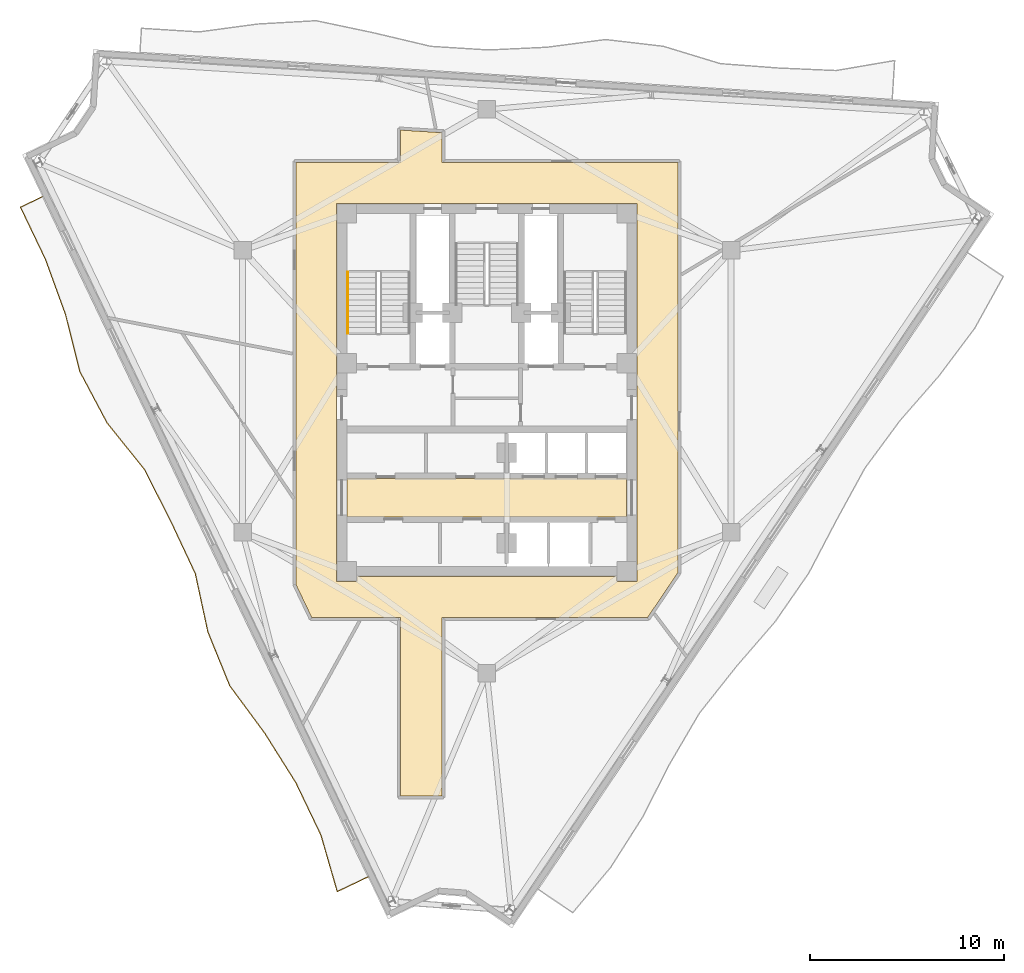
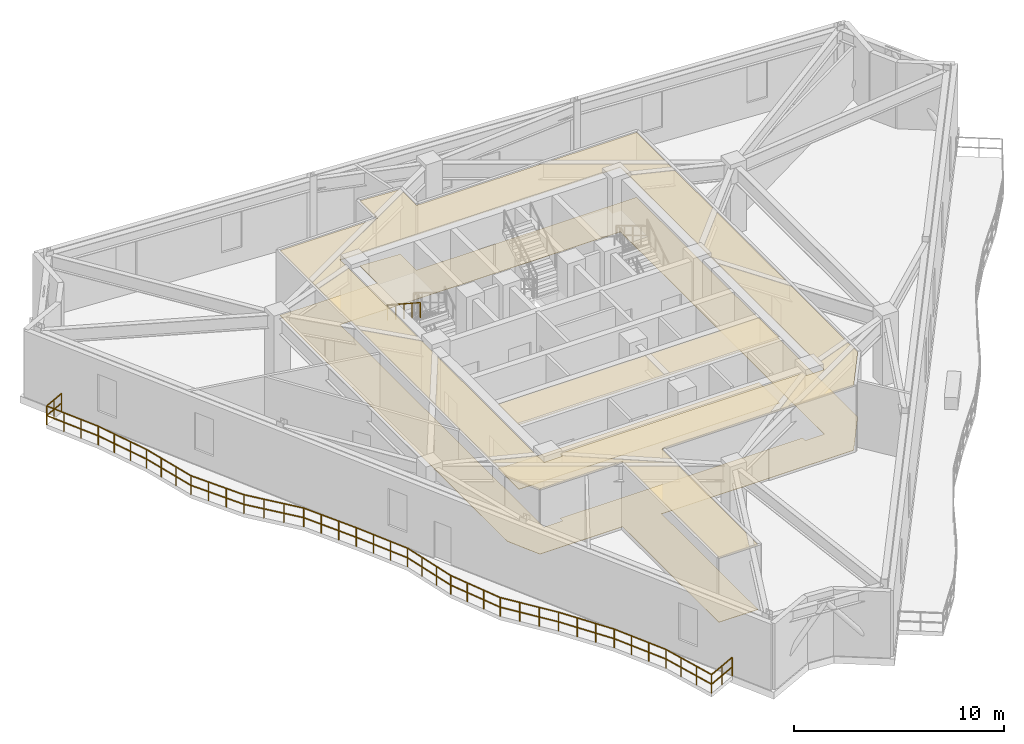
# One storey, part 9 of 11: 4 coverings, 2 railings.
"""IFC4 building model written with IfcOpenShell, lengths in metres."""

from ifc_helpers import new_model, si_unit, direction, frame, origin, origin_2d, place, context, subcontext, project, spatial, polyline, rectangle, outline, extrude, material, layer, layer_set, type_object, element, save


model = new_model("IFC4")

# Units and contexts
model_context = context("Model", 3, precision=1e-05, world=origin(), true_north=direction((0.0, 1.0)))
body_context = subcontext(model_context, "Body", "Model", "MODEL_VIEW")
ifc_project = project(units=[si_unit("LENGTHUNIT", "METRE"), si_unit("AREAUNIT", "SQUARE_METRE"), si_unit("VOLUMEUNIT", "CUBIC_METRE"), si_unit("PLANEANGLEUNIT", "RADIAN"), si_unit("MASSUNIT", "GRAM", prefix="KILO")], contexts=[model_context])

# Site, building, storey
site_placement = place(None, origin())
site = spatial("IfcSite", under=ifc_project, at=site_placement, CompositionType="ELEMENT")
building_placement = place(site_placement, origin())
building = spatial("IfcBuilding", under=site, at=building_placement, Name="Apsidion Concourse Tower", CompositionType="ELEMENT")
storey_placement = place(building_placement, frame((0.0, 0.0, 294.199951171875)))
storey = spatial("IfcBuildingStorey", under=building, at=storey_placement, Name="L69", CompositionType="ELEMENT", Elevation=294.199951171875)

# Coverings
ifc_material_1 = material(Name="Acoustic mineral fibre ceiling")
ifc_layer_1 = layer(ifc_material_1, 0.0400390625)
ifc_layer_set_1 = layer_set([ifc_layer_1], Name="Acoustic mineral fibre ceiling")
covering_type_1 = type_object("IfcCoveringType", Name="COV-CEIL-40", PredefinedType="CEILING", material=ifc_layer_set_1)
covering_1_placement = place(storey_placement, frame((0.0, 0.0, 3.75)))
element("IfcCovering", 1, at=covering_1_placement, inside=storey, type_object=covering_type_1, Name="L69 Acoustic Ceiling Grid 1", PredefinedType="CEILING", context=body_context, shape_type="SweptSolid", body=[
    extrude(outline(polyline([(-7.179931640625, -6.449951171875), (-7.179931640625, -4.47998046875), (7.179931640625, -4.47998046875), (7.179931640625, -6.449951171875), (-7.179931640625, -6.449951171875)])), origin(), (0.0, 0.0, 1.0), 0.0400390625),
])
covering_2_placement = place(storey_placement, frame((0.0, 0.0, 3.75)))
element("IfcCovering", 2, at=covering_2_placement, inside=storey, type_object=covering_type_1, Name="L69 Acoustic Ceiling Grid 2", PredefinedType="CEILING", context=body_context, shape_type="SweptSolid", body=[
    extrude(outline(polyline([(-9.006103515625, -11.6201171875), (-9.820068359375, -9.9189453125), (-9.820068359375, 11.77001953125), (-4.449951171875, 11.77001953125), (-4.449951171875, 13.4423828125), (-2.300048828125, 13.30810546875), (-2.300048828125, 11.77001953125), (9.820068359375, 11.77001953125), (9.820068359375, -9.323974609375), (8.271240234375, -11.6201171875), (-2.300048828125, -11.6201171875), (-2.300048828125, -20.800048828125), (-4.449951171875, -20.800048828125), (-4.449951171875, -11.6201171875), (-9.006103515625, -11.6201171875)]), holes=[polyline([(7.699951171875, 9.669921875), (6.699951171875, 9.669921875), (-2.300048828125, 9.669921875), (-4.449951171875, 9.669921875), (-6.699951171875, 9.669921875), (-7.699951171875, 9.669921875), (-7.719970703125, 9.669921875), (-7.719970703125, 9.64990234375), (-7.719970703125, 8.64990234375), (-7.719970703125, 1.949951171875), (-7.719970703125, 0.949951171875), (-7.719970703125, -8.75), (-7.719970703125, -9.52001953125), (-7.719970703125, -9.75), (-7.719970703125, -9.751953125), (-7.719482421875, -9.75390625), (-7.718994140625, -9.755859375), (-7.718505859375, -9.7578125), (-7.717529296875, -9.759521484375), (-7.716552734375, -9.760986328125), (-7.715576171875, -9.7626953125), (-7.714111328125, -9.76416015625), (-7.712646484375, -9.765380859375), (-7.711181640625, -9.7666015625), (-7.70947265625, -9.767578125), (-7.707763671875, -9.7685546875), (-7.705810546875, -9.76904296875), (-7.703857421875, -9.76953125), (-7.701904296875, -9.77001953125), (-7.699951171875, -9.77001953125), (-6.699951171875, -9.77001953125), (-6.697998046875, -9.77001953125), (-6.696044921875, -9.76953125), (-6.694091796875, -9.76904296875), (-6.6923828125, -9.7685546875), (-6.690673828125, -9.767578125), (-6.68896484375, -9.7666015625), (-6.687255859375, -9.765380859375), (-6.685791015625, -9.76416015625), (-6.6845703125, -9.7626953125), (-6.683349609375, -9.760986328125), (-6.682373046875, -9.759521484375), (-6.681396484375, -9.7578125), (-6.680908203125, -9.755859375), (-6.680419921875, -9.75390625), (-6.68017578125, -9.751953125), (-6.679931640625, -9.75), (-6.679931640625, -9.52001953125), (-4.449951171875, -9.52001953125), (-2.300048828125, -9.52001953125), (6.679931640625, -9.52001953125), (6.679931640625, -9.75), (6.68017578125, -9.751953125), (6.680419921875, -9.75390625), (6.680908203125, -9.755859375), (6.681396484375, -9.7578125), (6.682373046875, -9.759521484375), (6.683349609375, -9.760986328125), (6.6845703125, -9.7626953125), (6.685791015625, -9.76416015625), (6.687255859375, -9.765380859375), (6.68896484375, -9.7666015625), (6.690673828125, -9.767578125), (6.6923828125, -9.7685546875), (6.694091796875, -9.76904296875), (6.696044921875, -9.76953125), (6.697998046875, -9.77001953125), (6.699951171875, -9.77001953125), (7.699951171875, -9.77001953125), (7.701904296875, -9.77001953125), (7.703857421875, -9.76953125), (7.705810546875, -9.76904296875), (7.707763671875, -9.7685546875), (7.70947265625, -9.767578125), (7.711181640625, -9.7666015625), (7.712646484375, -9.765380859375), (7.714111328125, -9.76416015625), (7.715576171875, -9.7626953125), (7.716552734375, -9.760986328125), (7.717529296875, -9.759521484375), (7.718505859375, -9.7578125), (7.718994140625, -9.755859375), (7.719482421875, -9.75390625), (7.719970703125, -9.751953125), (7.719970703125, -9.75), (7.719970703125, -9.52001953125), (7.719970703125, -8.75), (7.719970703125, 0.949951171875), (7.719970703125, 1.949951171875), (7.719970703125, 8.64990234375), (7.719970703125, 9.64990234375), (7.719970703125, 9.669921875), (7.699951171875, 9.669921875)])]), origin(), (0.0, 0.0, 1.0), 0.0400390625),
])
ifc_material_2 = material(Name="Honed travertine floor finish", Category="masonry")
ifc_layer_2 = layer(ifc_material_2, 0.02001953125)
ifc_layer_set_2 = layer_set([ifc_layer_2], Name="Honed travertine floor finish")
covering_type_2 = type_object("IfcCoveringType", Name="COV-FLOR-20", PredefinedType="FLOORING", material=ifc_layer_set_2)
covering_3_placement = place(storey_placement, origin())
element("IfcCovering", 3, at=covering_3_placement, inside=storey, type_object=covering_type_2, Name="L69 Honed Travertine Floor Finish 1", PredefinedType="FLOORING", context=body_context, shape_type="SweptSolid", body=[
    extrude(outline(polyline([(-7.179931640625, -6.449951171875), (-7.179931640625, -4.47998046875), (7.179931640625, -4.47998046875), (7.179931640625, -6.449951171875), (-7.179931640625, -6.449951171875)])), origin(), (0.0, 0.0, 1.0), 0.02001953125),
])
covering_4_placement = place(storey_placement, origin())
element("IfcCovering", 4, at=covering_4_placement, inside=storey, type_object=covering_type_2, Name="L69 Honed Travertine Floor Finish 2", PredefinedType="FLOORING", context=body_context, shape_type="SweptSolid", body=[
    extrude(outline(polyline([(-9.006103515625, -11.6201171875), (-9.820068359375, -9.9189453125), (-9.820068359375, 11.77001953125), (-4.449951171875, 11.77001953125), (-4.449951171875, 13.4423828125), (-2.300048828125, 13.30810546875), (-2.300048828125, 11.77001953125), (9.820068359375, 11.77001953125), (9.820068359375, -9.323974609375), (8.271240234375, -11.6201171875), (-2.300048828125, -11.6201171875), (-2.300048828125, -20.800048828125), (-4.449951171875, -20.800048828125), (-4.449951171875, -11.6201171875), (-9.006103515625, -11.6201171875)]), holes=[polyline([(7.699951171875, 9.669921875), (6.699951171875, 9.669921875), (-2.300048828125, 9.669921875), (-4.449951171875, 9.669921875), (-6.699951171875, 9.669921875), (-7.699951171875, 9.669921875), (-7.719970703125, 9.669921875), (-7.719970703125, 9.64990234375), (-7.719970703125, 8.64990234375), (-7.719970703125, 1.949951171875), (-7.719970703125, 0.949951171875), (-7.719970703125, -8.75), (-7.719970703125, -9.52001953125), (-7.719970703125, -9.75), (-7.719970703125, -9.751953125), (-7.719482421875, -9.75390625), (-7.718994140625, -9.755859375), (-7.718505859375, -9.7578125), (-7.717529296875, -9.759521484375), (-7.716552734375, -9.760986328125), (-7.715576171875, -9.7626953125), (-7.714111328125, -9.76416015625), (-7.712646484375, -9.765380859375), (-7.711181640625, -9.7666015625), (-7.70947265625, -9.767578125), (-7.707763671875, -9.7685546875), (-7.705810546875, -9.76904296875), (-7.703857421875, -9.76953125), (-7.701904296875, -9.77001953125), (-7.699951171875, -9.77001953125), (-6.699951171875, -9.77001953125), (-6.697998046875, -9.77001953125), (-6.696044921875, -9.76953125), (-6.694091796875, -9.76904296875), (-6.6923828125, -9.7685546875), (-6.690673828125, -9.767578125), (-6.68896484375, -9.7666015625), (-6.687255859375, -9.765380859375), (-6.685791015625, -9.76416015625), (-6.6845703125, -9.7626953125), (-6.683349609375, -9.760986328125), (-6.682373046875, -9.759521484375), (-6.681396484375, -9.7578125), (-6.680908203125, -9.755859375), (-6.680419921875, -9.75390625), (-6.68017578125, -9.751953125), (-6.679931640625, -9.75), (-6.679931640625, -9.52001953125), (-4.449951171875, -9.52001953125), (-2.300048828125, -9.52001953125), (6.679931640625, -9.52001953125), (6.679931640625, -9.75), (6.68017578125, -9.751953125), (6.680419921875, -9.75390625), (6.680908203125, -9.755859375), (6.681396484375, -9.7578125), (6.682373046875, -9.759521484375), (6.683349609375, -9.760986328125), (6.6845703125, -9.7626953125), (6.685791015625, -9.76416015625), (6.687255859375, -9.765380859375), (6.68896484375, -9.7666015625), (6.690673828125, -9.767578125), (6.6923828125, -9.7685546875), (6.694091796875, -9.76904296875), (6.696044921875, -9.76953125), (6.697998046875, -9.77001953125), (6.699951171875, -9.77001953125), (7.699951171875, -9.77001953125), (7.701904296875, -9.77001953125), (7.703857421875, -9.76953125), (7.705810546875, -9.76904296875), (7.707763671875, -9.7685546875), (7.70947265625, -9.767578125), (7.711181640625, -9.7666015625), (7.712646484375, -9.765380859375), (7.714111328125, -9.76416015625), (7.715576171875, -9.7626953125), (7.716552734375, -9.760986328125), (7.717529296875, -9.759521484375), (7.718505859375, -9.7578125), (7.718994140625, -9.755859375), (7.719482421875, -9.75390625), (7.719970703125, -9.751953125), (7.719970703125, -9.75), (7.719970703125, -9.52001953125), (7.719970703125, -8.75), (7.719970703125, 0.949951171875), (7.719970703125, 1.949951171875), (7.719970703125, 8.64990234375), (7.719970703125, 9.64990234375), (7.719970703125, 9.669921875), (7.699951171875, 9.669921875)])]), origin(), (0.0, 0.0, 1.0), 0.02001953125),
])

# Railings
ifc_material_3 = material(Name="Brushed stainless steel 316", Category="steel")
railing_type_1 = type_object("IfcRailingType", Name="RL-BAL-1120", PredefinedType="BALUSTRADE", material=ifc_material_3)
railing_1_placement = place(storey_placement, frame((-6.1181640625, -24.96630859375, 0.0)))
element("IfcRailing", 5, at=railing_1_placement, inside=storey, type_object=railing_type_1, Name="L69 Face 1 Rippling Balcony Balustrade", PredefinedType="BALUSTRADE", context=body_context, shape_type="SweptSolid", body=[
    extrude(rectangle(XDim=0.048095703125, YDim=0.048095703125, at=origin_2d()), frame((0.0, 0.0, 1.09619140625), z_axis=(-0.902093987439, -0.431539613275, 0.0), x_axis=(0.431539613275, -0.902093987439, 0.0)), (0.0, 0.0, 1.0), 1.745849609375),
    extrude(rectangle(XDim=0.048095703125, YDim=0.048095703125, at=origin_2d()), frame((0.0, 0.0, 0.5361328125), z_axis=(-0.902093987439, -0.431539613275, 0.0), x_axis=(0.431539613275, -0.902093987439, 0.0)), (0.0, 0.0, 1.0), 1.745849609375),
    extrude(rectangle(XDim=0.048095703125, YDim=0.048095703125, at=origin_2d()), frame((-1.574951171875, -0.75341796875, 1.09619140625), z_axis=(-0.277801269511, 0.960638566089, 0.0), x_axis=(-0.960638566089, -0.277801269511, 0.0)), (0.0, 0.0, 1.0), 3.024169921875),
    extrude(rectangle(XDim=0.048095703125, YDim=0.048095703125, at=origin_2d()), frame((-1.574951171875, -0.75341796875, 0.5361328125), z_axis=(-0.277801269511, 0.960638566089, 0.0), x_axis=(-0.960638566089, -0.277801269511, 0.0)), (0.0, 0.0, 1.0), 3.024169921875),
    extrude(rectangle(XDim=0.048095703125, YDim=0.048095703125, at=origin_2d()), frame((-2.4150390625, 2.151611328125, 1.09619140625), z_axis=(-0.431629243963, 0.902051104847, 0.0), x_axis=(-0.902051104847, -0.431629243963, 0.0)), (0.0, 0.0, 1.0), 2.983154296875),
    extrude(rectangle(XDim=0.048095703125, YDim=0.048095703125, at=origin_2d()), frame((-2.4150390625, 2.151611328125, 0.5361328125), z_axis=(-0.431629243963, 0.902051104847, 0.0), x_axis=(-0.902051104847, -0.431629243963, 0.0)), (0.0, 0.0, 1.0), 2.983154296875),
    extrude(rectangle(XDim=0.048095703125, YDim=0.048095703125, at=origin_2d()), frame((-3.70263671875, 4.842529296875, 1.09619140625), z_axis=(-0.531846790602, 0.846840593811, 0.0), x_axis=(-0.846840593811, -0.531846790602, 0.0)), (0.0, 0.0, 1.0), 3.002685546875),
    extrude(rectangle(XDim=0.048095703125, YDim=0.048095703125, at=origin_2d()), frame((-3.70263671875, 4.842529296875, 0.5361328125), z_axis=(-0.531846790602, 0.846840593811, 0.0), x_axis=(-0.846840593811, -0.531846790602, 0.0)), (0.0, 0.0, 1.0), 3.002685546875),
    extrude(rectangle(XDim=0.048095703125, YDim=0.048095703125, at=origin_2d()), frame((-5.299560546875, 7.38525390625, 1.09619140625), z_axis=(-0.593549954884, 0.804797149011, 0.0), x_axis=(-0.804797149011, -0.593549954884, 0.0)), (0.0, 0.0, 1.0), 3.037109375),
    extrude(rectangle(XDim=0.048095703125, YDim=0.048095703125, at=origin_2d()), frame((-5.299560546875, 7.38525390625, 0.5361328125), z_axis=(-0.593549954884, 0.804797149011, 0.0), x_axis=(-0.804797149011, -0.593549954884, 0.0)), (0.0, 0.0, 1.0), 3.037109375),
    extrude(rectangle(XDim=0.048095703125, YDim=0.048095703125, at=origin_2d()), frame((-7.102294921875, 9.82958984375, 1.09619140625), z_axis=(-0.376526049121, 0.926406031033, 0.0), x_axis=(-0.926406031033, -0.376526049121, 0.0)), (0.0, 0.0, 1.0), 2.988525390625),
    extrude(rectangle(XDim=0.048095703125, YDim=0.048095703125, at=origin_2d()), frame((-7.102294921875, 9.82958984375, 0.5361328125), z_axis=(-0.376526049121, 0.926406031033, 0.0), x_axis=(-0.926406031033, -0.376526049121, 0.0)), (0.0, 0.0, 1.0), 2.988525390625),
    extrude(rectangle(XDim=0.048095703125, YDim=0.048095703125, at=origin_2d()), frame((-8.2275390625, 12.59814453125, 1.09619140625), z_axis=(-0.210730475018, 0.977544202018, 0.0), x_axis=(-0.977544202018, -0.210730475018, 0.0)), (0.0, 0.0, 1.0), 3.066650390625),
    extrude(rectangle(XDim=0.048095703125, YDim=0.048095703125, at=origin_2d()), frame((-8.2275390625, 12.59814453125, 0.5361328125), z_axis=(-0.210730475018, 0.977544202018, 0.0), x_axis=(-0.977544202018, -0.210730475018, 0.0)), (0.0, 0.0, 1.0), 3.066650390625),
    extrude(rectangle(XDim=0.048095703125, YDim=0.048095703125, at=origin_2d()), frame((-8.873779296875, 15.595947265625, 1.09619140625), z_axis=(-0.42441710211, 0.905466798639, 0.0), x_axis=(-0.905466798639, -0.42441710211, 0.0)), (0.0, 0.0, 1.0), 2.983154296875),
    extrude(rectangle(XDim=0.048095703125, YDim=0.048095703125, at=origin_2d()), frame((-8.873779296875, 15.595947265625, 0.5361328125), z_axis=(-0.42441710211, 0.905466798639, 0.0), x_axis=(-0.905466798639, -0.42441710211, 0.0)), (0.0, 0.0, 1.0), 2.983154296875),
    extrude(rectangle(XDim=0.048095703125, YDim=0.048095703125, at=origin_2d()), frame((-10.139892578125, 18.297119140625, 1.09619140625), z_axis=(-0.453029594323, 0.891495477649, 0.0), x_axis=(-0.891495477649, -0.453029594323, 0.0)), (0.0, 0.0, 1.0), 2.98388671875),
    extrude(rectangle(XDim=0.048095703125, YDim=0.048095703125, at=origin_2d()), frame((-10.139892578125, 18.297119140625, 0.5361328125), z_axis=(-0.453029594323, 0.891495477649, 0.0), x_axis=(-0.891495477649, -0.453029594323, 0.0)), (0.0, 0.0, 1.0), 2.98388671875),
    extrude(rectangle(XDim=0.048095703125, YDim=0.048095703125, at=origin_2d()), frame((-11.49169921875, 20.957275390625, 1.09619140625), z_axis=(-0.626335776369, 0.779553394733, 0.0), x_axis=(-0.779553394733, -0.626335776369, 0.0)), (0.0, 0.0, 1.0), 3.064208984375),
    extrude(rectangle(XDim=0.048095703125, YDim=0.048095703125, at=origin_2d()), frame((-11.49169921875, 20.957275390625, 0.5361328125), z_axis=(-0.626335776369, 0.779553394733, 0.0), x_axis=(-0.779553394733, -0.626335776369, 0.0)), (0.0, 0.0, 1.0), 3.064208984375),
    extrude(rectangle(XDim=0.048095703125, YDim=0.048095703125, at=origin_2d()), frame((-13.410888671875, 23.345947265625, 1.09619140625), z_axis=(-0.468638975523, 0.883389784082, 0.0), x_axis=(-0.883389784082, -0.468638975523, 0.0)), (0.0, 0.0, 1.0), 2.985595703125),
    extrude(rectangle(XDim=0.048095703125, YDim=0.048095703125, at=origin_2d()), frame((-13.410888671875, 23.345947265625, 0.5361328125), z_axis=(-0.468638975523, 0.883389784082, 0.0), x_axis=(-0.883389784082, -0.468638975523, 0.0)), (0.0, 0.0, 1.0), 2.985595703125),
    extrude(rectangle(XDim=0.048095703125, YDim=0.048095703125, at=origin_2d()), frame((-14.81005859375, 25.9833984375, 1.09619140625), z_axis=(-0.244007487503, 0.969773347769, 0.0), x_axis=(-0.969773347769, -0.244007487503, 0.0)), (0.0, 0.0, 1.0), 3.043701171875),
    extrude(rectangle(XDim=0.048095703125, YDim=0.048095703125, at=origin_2d()), frame((-14.81005859375, 25.9833984375, 0.5361328125), z_axis=(-0.244007487503, 0.969773347769, 0.0), x_axis=(-0.969773347769, -0.244007487503, 0.0)), (0.0, 0.0, 1.0), 3.043701171875),
    extrude(rectangle(XDim=0.048095703125, YDim=0.048095703125, at=origin_2d()), frame((-15.552734375, 28.93505859375, 1.09619140625), z_axis=(-0.341867323817, 0.939748228467, 0.0), x_axis=(-0.939748228467, -0.341867323817, 0.0)), (0.0, 0.0, 1.0), 2.997314453125),
    extrude(rectangle(XDim=0.048095703125, YDim=0.048095703125, at=origin_2d()), frame((-15.552734375, 28.93505859375, 0.5361328125), z_axis=(-0.341867323817, 0.939748228467, 0.0), x_axis=(-0.939748228467, -0.341867323817, 0.0)), (0.0, 0.0, 1.0), 2.997314453125),
    extrude(rectangle(XDim=0.048095703125, YDim=0.048095703125, at=origin_2d()), frame((-16.577392578125, 31.751708984375, 1.09619140625), z_axis=(-0.431562646754, 0.902082968428, 0.0), x_axis=(-0.902082968428, -0.431562646754, 0.0)), (0.0, 0.0, 1.0), 2.98291015625),
    extrude(rectangle(XDim=0.048095703125, YDim=0.048095703125, at=origin_2d()), frame((-16.577392578125, 31.751708984375, 0.5361328125), z_axis=(-0.431562646754, 0.902082968428, 0.0), x_axis=(-0.902082968428, -0.431562646754, 0.0)), (0.0, 0.0, 1.0), 2.98291015625),
    extrude(rectangle(XDim=0.048095703125, YDim=0.048095703125, at=origin_2d()), frame((-17.86474609375, 34.442626953125, 1.09619140625), z_axis=(0.902028416464, 0.431676656645, 0.0), x_axis=(-0.431676656645, 0.902028416464, 0.0)), (0.0, 0.0, 1.0), 1.25),
    extrude(rectangle(XDim=0.048095703125, YDim=0.048095703125, at=origin_2d()), frame((-17.86474609375, 34.442626953125, 0.5361328125), z_axis=(0.902028416464, 0.431676656645, 0.0), x_axis=(-0.431676656645, 0.902028416464, 0.0)), (0.0, 0.0, 1.0), 1.25),
    extrude(rectangle(XDim=0.0419921875, YDim=0.0419921875, at=origin_2d()), origin(), (0.0, 0.0, 1.0), 1.072021484375),
    extrude(rectangle(XDim=0.0419921875, YDim=0.0419921875, at=origin_2d()), frame((-0.78759765625, -0.376708984375, 0.0)), (0.0, 0.0, 1.0), 1.072021484375),
    extrude(rectangle(XDim=0.0419921875, YDim=0.0419921875, at=origin_2d()), frame((-1.574951171875, -0.75341796875, 0.0)), (0.0, 0.0, 1.0), 1.072021484375),
    extrude(rectangle(XDim=0.0419921875, YDim=0.0419921875, at=origin_2d()), frame((-1.85498046875, 0.21484375, 0.0)), (0.0, 0.0, 1.0), 1.072021484375),
    extrude(rectangle(XDim=0.0419921875, YDim=0.0419921875, at=origin_2d()), frame((-2.135009765625, 1.183349609375, 0.0)), (0.0, 0.0, 1.0), 1.072021484375),
    extrude(rectangle(XDim=0.0419921875, YDim=0.0419921875, at=origin_2d()), frame((-2.4150390625, 2.151611328125, 0.0)), (0.0, 0.0, 1.0), 1.072021484375),
    extrude(rectangle(XDim=0.0419921875, YDim=0.0419921875, at=origin_2d()), frame((-2.84423828125, 3.048583984375, 0.0)), (0.0, 0.0, 1.0), 1.072021484375),
    extrude(rectangle(XDim=0.0419921875, YDim=0.0419921875, at=origin_2d()), frame((-3.2734375, 3.945556640625, 0.0)), (0.0, 0.0, 1.0), 1.072021484375),
    extrude(rectangle(XDim=0.0419921875, YDim=0.0419921875, at=origin_2d()), frame((-3.70263671875, 4.842529296875, 0.0)), (0.0, 0.0, 1.0), 1.072021484375),
    extrude(rectangle(XDim=0.0419921875, YDim=0.0419921875, at=origin_2d()), frame((-4.23486328125, 5.690185546875, 0.0)), (0.0, 0.0, 1.0), 1.072021484375),
    extrude(rectangle(XDim=0.0419921875, YDim=0.0419921875, at=origin_2d()), frame((-4.767333984375, 6.53759765625, 0.0)), (0.0, 0.0, 1.0), 1.072021484375),
    extrude(rectangle(XDim=0.0419921875, YDim=0.0419921875, at=origin_2d()), frame((-5.299560546875, 7.38525390625, 0.0)), (0.0, 0.0, 1.0), 1.072021484375),
    extrude(rectangle(XDim=0.0419921875, YDim=0.0419921875, at=origin_2d()), frame((-5.900390625, 8.199951171875, 0.0)), (0.0, 0.0, 1.0), 1.072021484375),
    extrude(rectangle(XDim=0.0419921875, YDim=0.0419921875, at=origin_2d()), frame((-6.50146484375, 9.014892578125, 0.0)), (0.0, 0.0, 1.0), 1.072021484375),
    extrude(rectangle(XDim=0.0419921875, YDim=0.0419921875, at=origin_2d()), frame((-7.102294921875, 9.82958984375, 0.0)), (0.0, 0.0, 1.0), 1.072021484375),
    extrude(rectangle(XDim=0.0419921875, YDim=0.0419921875, at=origin_2d()), frame((-7.477294921875, 10.75244140625, 0.0)), (0.0, 0.0, 1.0), 1.072021484375),
    extrude(rectangle(XDim=0.0419921875, YDim=0.0419921875, at=origin_2d()), frame((-7.8525390625, 11.67529296875, 0.0)), (0.0, 0.0, 1.0), 1.072021484375),
    extrude(rectangle(XDim=0.0419921875, YDim=0.0419921875, at=origin_2d()), frame((-8.2275390625, 12.59814453125, 0.0)), (0.0, 0.0, 1.0), 1.072021484375),
    extrude(rectangle(XDim=0.0419921875, YDim=0.0419921875, at=origin_2d()), frame((-8.44287109375, 13.597412109375, 0.0)), (0.0, 0.0, 1.0), 1.072021484375),
    extrude(rectangle(XDim=0.0419921875, YDim=0.0419921875, at=origin_2d()), frame((-8.658447265625, 14.5966796875, 0.0)), (0.0, 0.0, 1.0), 1.072021484375),
    extrude(rectangle(XDim=0.0419921875, YDim=0.0419921875, at=origin_2d()), frame((-8.873779296875, 15.595947265625, 0.0)), (0.0, 0.0, 1.0), 1.072021484375),
    extrude(rectangle(XDim=0.0419921875, YDim=0.0419921875, at=origin_2d()), frame((-9.2958984375, 16.496337890625, 0.0)), (0.0, 0.0, 1.0), 1.072021484375),
    extrude(rectangle(XDim=0.0419921875, YDim=0.0419921875, at=origin_2d()), frame((-9.7177734375, 17.396728515625, 0.0)), (0.0, 0.0, 1.0), 1.072021484375),
    extrude(rectangle(XDim=0.0419921875, YDim=0.0419921875, at=origin_2d()), frame((-10.139892578125, 18.297119140625, 0.0)), (0.0, 0.0, 1.0), 1.072021484375),
    extrude(rectangle(XDim=0.0419921875, YDim=0.0419921875, at=origin_2d()), frame((-10.590576171875, 19.183837890625, 0.0)), (0.0, 0.0, 1.0), 1.072021484375),
    extrude(rectangle(XDim=0.0419921875, YDim=0.0419921875, at=origin_2d()), frame((-11.041015625, 20.070556640625, 0.0)), (0.0, 0.0, 1.0), 1.072021484375),
    extrude(rectangle(XDim=0.0419921875, YDim=0.0419921875, at=origin_2d()), frame((-11.49169921875, 20.957275390625, 0.0)), (0.0, 0.0, 1.0), 1.072021484375),
    extrude(rectangle(XDim=0.0419921875, YDim=0.0419921875, at=origin_2d()), frame((-12.13134765625, 21.75341796875, 0.0)), (0.0, 0.0, 1.0), 1.072021484375),
    extrude(rectangle(XDim=0.0419921875, YDim=0.0419921875, at=origin_2d()), frame((-12.771240234375, 22.5498046875, 0.0)), (0.0, 0.0, 1.0), 1.072021484375),
    extrude(rectangle(XDim=0.0419921875, YDim=0.0419921875, at=origin_2d()), frame((-13.410888671875, 23.345947265625, 0.0)), (0.0, 0.0, 1.0), 1.072021484375),
    extrude(rectangle(XDim=0.0419921875, YDim=0.0419921875, at=origin_2d()), frame((-13.877197265625, 24.22509765625, 0.0)), (0.0, 0.0, 1.0), 1.072021484375),
    extrude(rectangle(XDim=0.0419921875, YDim=0.0419921875, at=origin_2d()), frame((-14.34375, 25.104248046875, 0.0)), (0.0, 0.0, 1.0), 1.072021484375),
    extrude(rectangle(XDim=0.0419921875, YDim=0.0419921875, at=origin_2d()), frame((-14.81005859375, 25.9833984375, 0.0)), (0.0, 0.0, 1.0), 1.072021484375),
    extrude(rectangle(XDim=0.0419921875, YDim=0.0419921875, at=origin_2d()), frame((-15.0576171875, 26.96728515625, 0.0)), (0.0, 0.0, 1.0), 1.072021484375),
    extrude(rectangle(XDim=0.0419921875, YDim=0.0419921875, at=origin_2d()), frame((-15.30517578125, 27.951171875, 0.0)), (0.0, 0.0, 1.0), 1.072021484375),
    extrude(rectangle(XDim=0.0419921875, YDim=0.0419921875, at=origin_2d()), frame((-15.552734375, 28.93505859375, 0.0)), (0.0, 0.0, 1.0), 1.072021484375),
    extrude(rectangle(XDim=0.0419921875, YDim=0.0419921875, at=origin_2d()), frame((-15.894287109375, 29.8740234375, 0.0)), (0.0, 0.0, 1.0), 1.072021484375),
    extrude(rectangle(XDim=0.0419921875, YDim=0.0419921875, at=origin_2d()), frame((-16.23583984375, 30.812744140625, 0.0)), (0.0, 0.0, 1.0), 1.072021484375),
    extrude(rectangle(XDim=0.0419921875, YDim=0.0419921875, at=origin_2d()), frame((-16.577392578125, 31.751708984375, 0.0)), (0.0, 0.0, 1.0), 1.072021484375),
    extrude(rectangle(XDim=0.0419921875, YDim=0.0419921875, at=origin_2d()), frame((-17.006591796875, 32.648681640625, 0.0)), (0.0, 0.0, 1.0), 1.072021484375),
    extrude(rectangle(XDim=0.0419921875, YDim=0.0419921875, at=origin_2d()), frame((-17.435546875, 33.545654296875, 0.0)), (0.0, 0.0, 1.0), 1.072021484375),
    extrude(rectangle(XDim=0.0419921875, YDim=0.0419921875, at=origin_2d()), frame((-17.86474609375, 34.442626953125, 0.0)), (0.0, 0.0, 1.0), 1.072021484375),
    extrude(rectangle(XDim=0.0419921875, YDim=0.0419921875, at=origin_2d()), frame((-17.301025390625, 34.71240234375, 0.0)), (0.0, 0.0, 1.0), 1.072021484375),
    extrude(rectangle(XDim=0.0419921875, YDim=0.0419921875, at=origin_2d()), frame((-16.7373046875, 34.982177734375, 0.0)), (0.0, 0.0, 1.0), 1.072021484375),
])
railing_type_2 = type_object("IfcRailingType", Name="RL-HAND-900", PredefinedType="HANDRAIL", material=ifc_material_3)
railing_2_placement = place(storey_placement, frame((-7.14990234375, 6.135009765625, 2.220947265625)))
element("IfcRailing", 6, at=railing_2_placement, inside=storey, type_object=railing_type_2, Name="L69 ST1 stair handrail 2", PredefinedType="HANDRAIL", context=body_context, shape_type="SweptSolid", body=[
    extrude(rectangle(XDim=0.048095703125, YDim=0.048095703125, at=origin_2d()), frame((0.0, 0.0, 0.8759765625), z_axis=(0.0, -0.836940907821, 0.547293263996), x_axis=(1.0, 0.0, 0.0)), (0.0, 0.0, 1.0), 3.745849609375),
    extrude(rectangle(XDim=0.0419921875, YDim=0.0419921875, at=origin_2d()), origin(), (0.0, 0.0, 1.0), 0.851806640625),
    extrude(rectangle(XDim=0.0419921875, YDim=0.0419921875, at=origin_2d()), frame((0.0, -0.78369140625, 0.512451171875)), (0.0, 0.0, 1.0), 0.851806640625),
    extrude(rectangle(XDim=0.0419921875, YDim=0.0419921875, at=origin_2d()), frame((0.0, -1.5673828125, 1.02490234375)), (0.0, 0.0, 1.0), 0.851806640625),
    extrude(rectangle(XDim=0.0419921875, YDim=0.0419921875, at=origin_2d()), frame((0.0, -2.351318359375, 1.53759765625)), (0.0, 0.0, 1.0), 0.851806640625),
    extrude(rectangle(XDim=0.0419921875, YDim=0.0419921875, at=origin_2d()), frame((0.0, -3.135009765625, 2.050048828125)), (0.0, 0.0, 1.0), 0.851806640625),
])

save(model, "model.ifc")
